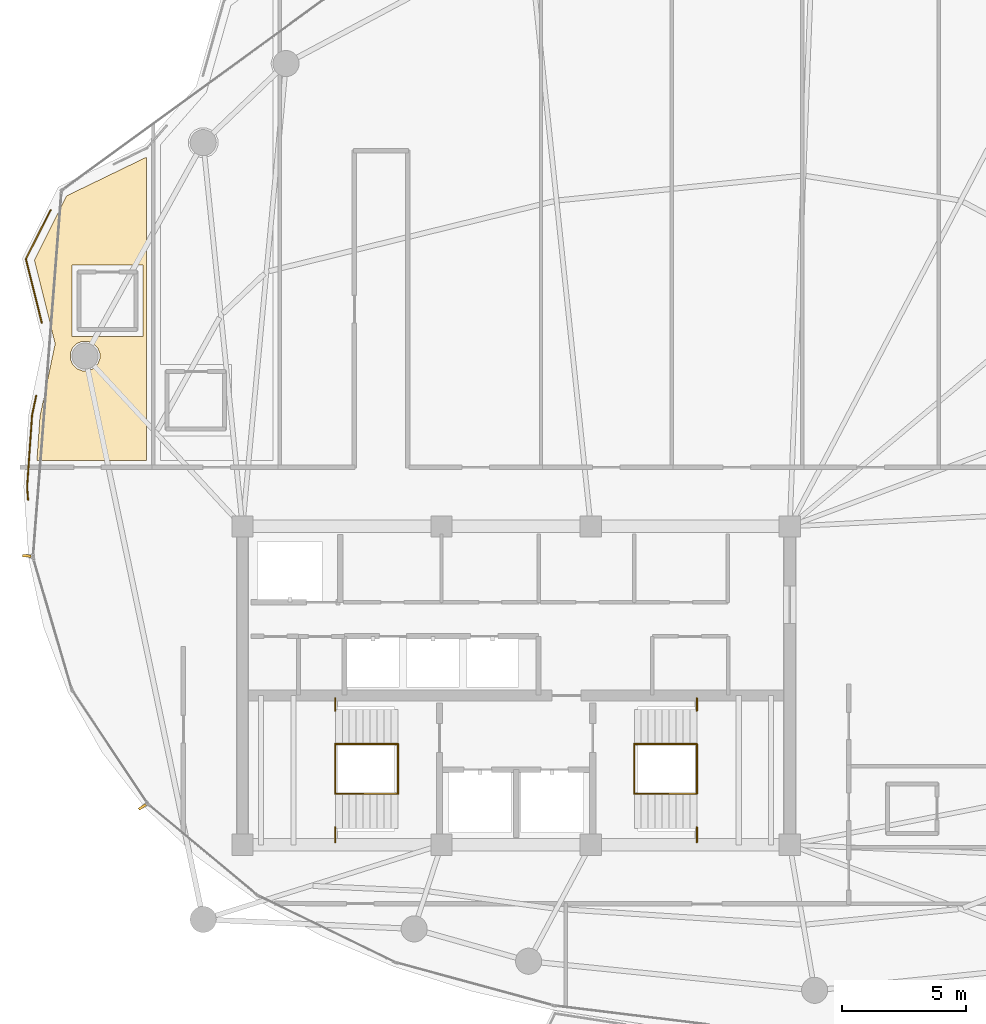
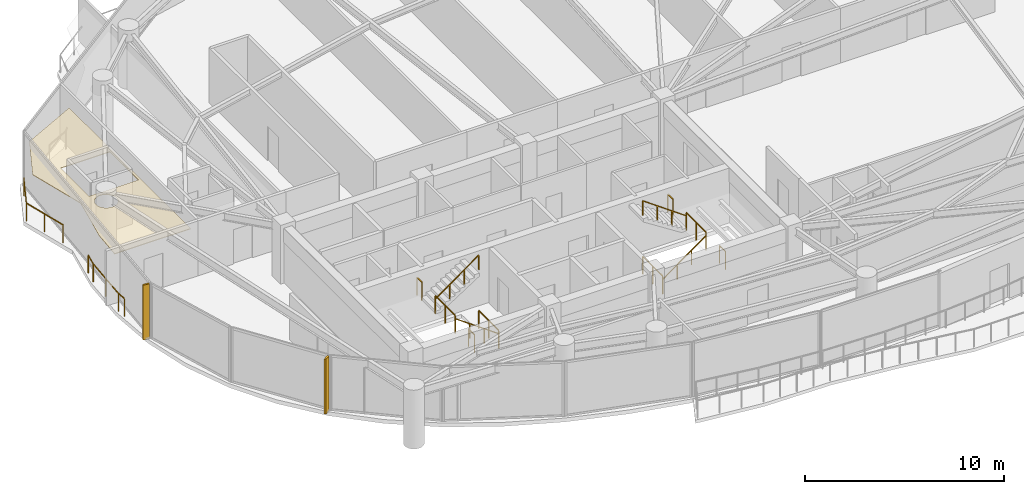
# One storey, part 29 of 31: 14 railings, 2 shading devices, 1 covering.
"""IFC4 building model written with IfcOpenShell, lengths in metres."""

from ifc_helpers import new_model, si_unit, direction, frame, origin, origin_2d, place, context, subcontext, project, spatial, polyline, rectangle, outline, extrude, material, layer, layer_set, type_object, element, save


model = new_model("IFC4")

# Units and contexts
model_context = context("Model", 3, precision=1e-05, world=origin(), true_north=direction((0.0, 1.0)))
body_context = subcontext(model_context, "Body", "Model", "MODEL_VIEW")
ifc_project = project(units=[si_unit("LENGTHUNIT", "METRE"), si_unit("AREAUNIT", "SQUARE_METRE"), si_unit("VOLUMEUNIT", "CUBIC_METRE"), si_unit("PLANEANGLEUNIT", "RADIAN"), si_unit("MASSUNIT", "GRAM", prefix="KILO")], contexts=[model_context])

# Site, building, storey
site_placement = place(None, origin())
site = spatial("IfcSite", under=ifc_project, at=site_placement, CompositionType="ELEMENT")
building_placement = place(site_placement, origin())
building = spatial("IfcBuilding", under=site, at=building_placement, Name="Kazevale Care Tower and Concert Hall", CompositionType="ELEMENT")
storey_placement = place(building_placement, frame((0.0, 0.0, 217.199951171875)))
storey = spatial("IfcBuildingStorey", under=building, at=storey_placement, Name="L57", CompositionType="ELEMENT", Elevation=217.199951171875)

# Covering
ifc_material_1 = material(Name="Acoustic Plaster and Hinoki Wood", Category="wood")
ifc_layer = layer(ifc_material_1, 0.0400390625)
ifc_layer_set = layer_set([ifc_layer], Name="Acoustic Plaster and Hinoki Wood")
covering_type = type_object("IfcCoveringType", Name="Acoustic Perforated Wood-Gypsum Ceiling", PredefinedType="CEILING", material=ifc_layer_set)
covering_placement = place(storey_placement, frame((0.0, 0.0, 2.7099609375)))
element("IfcCovering", 1, at=covering_placement, inside=storey, type_object=covering_type, Name="clg:L57:1", PredefinedType="CEILING", context=body_context, shape_type="SweptSolid", body=[
    extrude(outline(polyline([(14.93310546875, 49.694091796875), (18.139892578125, 51.2470703125), (18.139892578125, 39.054931640625), (13.73388671875, 39.054931640625), (13.85693359375, 40.824951171875), (14.468994140625, 43.75), (13.632080078125, 47.111083984375), (14.93310546875, 49.694091796875)]), holes=[polyline([(15.137939453125, 46.905029296875), (15.137939453125, 44.044921875), (17.998046875, 44.044921875), (17.998046875, 46.905029296875), (15.137939453125, 46.905029296875)]), polyline([(16.262939453125, 43.367919921875), (16.173095703125, 43.5859375), (16.006103515625, 43.7529296875), (15.7880859375, 43.843017578125), (15.552001953125, 43.843017578125), (15.333984375, 43.7529296875), (15.1669921875, 43.5859375), (15.076904296875, 43.367919921875), (15.076904296875, 43.132080078125), (15.1669921875, 42.9140625), (15.333984375, 42.7470703125), (15.552001953125, 42.656982421875), (15.7880859375, 42.656982421875), (16.006103515625, 42.7470703125), (16.173095703125, 42.9140625), (16.262939453125, 43.132080078125), (16.262939453125, 43.367919921875)])]), origin(), (0.0, 0.0, 1.0), 0.0400390625),
])

# Railings
ifc_material_2 = material(Name="Anodised Bronze Aluminium and Laminated Glass", Category="aluminium")
railing_type_1 = type_object("IfcRailingType", Name="Balcony and Terrace Balustrade 1120", PredefinedType="BALUSTRADE", material=ifc_material_2)
railing_1_placement = place(storey_placement, frame((13.3779296875, 37.467041015625, 0.0)))
element("IfcRailing", 2, at=railing_1_placement, inside=storey, type_object=railing_type_1, Name="rail:L57:perim:1", PredefinedType="BALUSTRADE", context=body_context, shape_type="SweptSolid", body=[
    extrude(rectangle(XDim=0.048095703125, YDim=0.048095703125, at=origin_2d()), frame((0.0, 0.0, 1.09619140625), z_axis=(-0.070824900757, 0.997488763562, 0.0), x_axis=(-0.997488763562, -0.070824900757, 0.0)), (0.0, 0.0, 1.0), 0.5341796875),
    extrude(rectangle(XDim=0.048095703125, YDim=0.048095703125, at=origin_2d()), frame((-0.037841796875, 0.532958984375, 1.09619140625), z_axis=(0.069189590327, 0.997603528758, 0.0), x_axis=(-0.997603528758, 0.069189590327, 0.0)), (0.0, 0.0, 1.0), 2.875732421875),
    extrude(rectangle(XDim=0.048095703125, YDim=0.048095703125, at=origin_2d()), frame((0.1611328125, 3.40185546875, 1.09619140625), z_axis=(0.204489697566, 0.978868716218, 0.0), x_axis=(-0.978868716218, 0.204489697566, 0.0)), (0.0, 0.0, 1.0), 0.801025390625),
    extrude(rectangle(XDim=0.0419921875, YDim=0.0419921875, at=origin_2d()), origin(), (0.0, 0.0, 1.0), 1.072021484375),
    extrude(rectangle(XDim=0.0419921875, YDim=0.0419921875, at=origin_2d()), frame((-0.037841796875, 0.532958984375, 0.0)), (0.0, 0.0, 1.0), 1.072021484375),
    extrude(rectangle(XDim=0.0419921875, YDim=0.0419921875, at=origin_2d()), frame((0.0615234375, 1.96728515625, 0.0)), (0.0, 0.0, 1.0), 1.072021484375),
    extrude(rectangle(XDim=0.0419921875, YDim=0.0419921875, at=origin_2d()), frame((0.1611328125, 3.40185546875, 0.0)), (0.0, 0.0, 1.0), 1.072021484375),
    extrude(rectangle(XDim=0.0419921875, YDim=0.0419921875, at=origin_2d()), frame((0.324951171875, 4.18603515625, 0.0)), (0.0, 0.0, 1.0), 1.072021484375),
])
railing_2_placement = place(storey_placement, frame((13.930908203125, 44.5849609375, 0.0)))
element("IfcRailing", 3, at=railing_2_placement, inside=storey, type_object=railing_type_1, Name="rail:L57:perim:2", PredefinedType="BALUSTRADE", context=body_context, shape_type="SweptSolid", body=[
    extrude(rectangle(XDim=0.048095703125, YDim=0.048095703125, at=origin_2d()), frame((0.0, 0.0, 1.09619140625), z_axis=(-0.241796398664, 0.970327007556, 0.0), x_axis=(-0.970327007556, -0.241796398664, 0.0)), (0.0, 0.0, 1.0), 2.642333984375),
    extrude(rectangle(XDim=0.048095703125, YDim=0.048095703125, at=origin_2d()), frame((-0.638916015625, 2.56396484375, 1.09619140625), z_axis=(0.450269666924, 0.892892617871, 0.0), x_axis=(-0.892892617871, 0.450269666924, 0.0)), (0.0, 0.0, 1.0), 2.202880859375),
    extrude(rectangle(XDim=0.0419921875, YDim=0.0419921875, at=origin_2d()), origin(), (0.0, 0.0, 1.0), 1.072021484375),
    extrude(rectangle(XDim=0.0419921875, YDim=0.0419921875, at=origin_2d()), frame((-0.3193359375, 1.281982421875, 0.0)), (0.0, 0.0, 1.0), 1.072021484375),
    extrude(rectangle(XDim=0.0419921875, YDim=0.0419921875, at=origin_2d()), frame((-0.638916015625, 2.56396484375, 0.0)), (0.0, 0.0, 1.0), 1.072021484375),
    extrude(rectangle(XDim=0.0419921875, YDim=0.0419921875, at=origin_2d()), frame((0.35302734375, 4.531005859375, 0.0)), (0.0, 0.0, 1.0), 1.072021484375),
])
ifc_material_3 = material(Name="Stainless Steel 316", Category="steel")
railing_type_2 = type_object("IfcRailingType", Name="Stair Pitch Handrail 920", PredefinedType="HANDRAIL", material=ifc_material_3)
railing_3_placement = place(storey_placement, frame((28.25, 25.64990234375, 0.0)))
element("IfcRailing", 4, at=railing_3_placement, inside=storey, type_object=railing_type_2, Name="stair:L57:ST1:hr1", PredefinedType="HANDRAIL", context=body_context, shape_type="SweptSolid", body=[
    extrude(rectangle(XDim=0.048095703125, YDim=0.048095703125, at=origin_2d()), frame((0.0, 0.0, 0.89599609375), z_axis=(-0.813728144527, 0.0, 0.581245650998), x_axis=(0.0, -1.0, 0.0)), (0.0, 0.0, 1.0), 3.096923828125),
    extrude(rectangle(XDim=0.0419921875, YDim=0.0419921875, at=origin_2d()), origin(), (0.0, 0.0, 1.0), 0.871826171875),
    extrude(rectangle(XDim=0.0419921875, YDim=0.0419921875, at=origin_2d()), frame((-0.840087890625, 0.0, 0.60009765625)), (0.0, 0.0, 1.0), 0.871826171875),
    extrude(rectangle(XDim=0.0419921875, YDim=0.0419921875, at=origin_2d()), frame((-1.679931640625, 0.0, 1.199951171875)), (0.0, 0.0, 1.0), 0.871826171875),
    extrude(rectangle(XDim=0.0419921875, YDim=0.0419921875, at=origin_2d()), frame((-2.52001953125, 0.0, 1.800048828125)), (0.0, 0.0, 1.0), 0.871826171875),
])
for number, where, name in (
    (5, (25.72998046875, 27.64990234375, 1.800048828125), "stair:L57:ST1:hr2"),
    (6, (37.75, 25.64990234375, 0.0), "stair:L57:ST2:hr1"),
):
    element("IfcRailing", number, at=place(storey_placement, frame(where)), inside=storey, type_object=railing_type_2, Name=name, PredefinedType="HANDRAIL", context=body_context, shape_type="SweptSolid", body=[
        extrude(rectangle(XDim=0.048095703125, YDim=0.048095703125, at=origin_2d()), frame((0.0, 0.0, 0.89599609375), z_axis=(0.813728144527, 0.0, 0.581245650998), x_axis=(0.0, 1.0, 0.0)), (0.0, 0.0, 1.0), 3.096923828125),
        extrude(rectangle(XDim=0.0419921875, YDim=0.0419921875, at=origin_2d()), origin(), (0.0, 0.0, 1.0), 0.871826171875),
        extrude(rectangle(XDim=0.0419921875, YDim=0.0419921875, at=origin_2d()), frame((0.840087890625, 0.0, 0.60009765625)), (0.0, 0.0, 1.0), 0.871826171875),
        extrude(rectangle(XDim=0.0419921875, YDim=0.0419921875, at=origin_2d()), frame((1.679931640625, 0.0, 1.199951171875)), (0.0, 0.0, 1.0), 0.871826171875),
        extrude(rectangle(XDim=0.0419921875, YDim=0.0419921875, at=origin_2d()), frame((2.52001953125, 0.0, 1.800048828125)), (0.0, 0.0, 1.0), 0.871826171875),
    ])
railing_4_placement = place(storey_placement, frame((40.27001953125, 27.64990234375, 1.800048828125)))
element("IfcRailing", 7, at=railing_4_placement, inside=storey, type_object=railing_type_2, Name="stair:L57:ST2:hr2", PredefinedType="HANDRAIL", context=body_context, shape_type="SweptSolid", body=[
    extrude(rectangle(XDim=0.048095703125, YDim=0.048095703125, at=origin_2d()), frame((0.0, 0.0, 0.89599609375), z_axis=(-0.813728144527, 0.0, 0.581245650998), x_axis=(0.0, -1.0, 0.0)), (0.0, 0.0, 1.0), 3.096923828125),
    extrude(rectangle(XDim=0.0419921875, YDim=0.0419921875, at=origin_2d()), origin(), (0.0, 0.0, 1.0), 0.871826171875),
    extrude(rectangle(XDim=0.0419921875, YDim=0.0419921875, at=origin_2d()), frame((-0.840087890625, 0.0, 0.60009765625)), (0.0, 0.0, 1.0), 0.871826171875),
    extrude(rectangle(XDim=0.0419921875, YDim=0.0419921875, at=origin_2d()), frame((-1.679931640625, 0.0, 1.199951171875)), (0.0, 0.0, 1.0), 0.871826171875),
    extrude(rectangle(XDim=0.0419921875, YDim=0.0419921875, at=origin_2d()), frame((-2.52001953125, 0.0, 1.800048828125)), (0.0, 0.0, 1.0), 0.871826171875),
])
railing_type_3 = type_object("IfcRailingType", Name="Stair Well Guard Balustrade 1120", PredefinedType="BALUSTRADE", material=ifc_material_3)
railing_5_placement = place(storey_placement, frame((25.72998046875, 23.699951171875, 1.800048828125)))
element("IfcRailing", 8, at=railing_5_placement, inside=storey, type_object=railing_type_3, Name="stair:L57:ST1:grd_side1", PredefinedType="BALUSTRADE", context=body_context, shape_type="SweptSolid", body=[
    extrude(rectangle(XDim=0.048095703125, YDim=0.048095703125, at=origin_2d()), frame((0.0, 0.0, 1.09619140625), z_axis=(0.0, 1.0, 0.0), x_axis=(-1.0, 0.0, 0.0)), (0.0, 0.0, 1.0), 0.610107421875),
    extrude(rectangle(XDim=0.0419921875, YDim=0.0419921875, at=origin_2d()), origin(), (0.0, 0.0, 1.0), 1.072021484375),
    extrude(rectangle(XDim=0.0419921875, YDim=0.0419921875, at=origin_2d()), frame((0.0, 0.610107421875, 0.0)), (0.0, 0.0, 1.0), 1.072021484375),
])
railing_6_placement = place(storey_placement, frame((25.72998046875, 28.989990234375, 1.800048828125)))
element("IfcRailing", 9, at=railing_6_placement, inside=storey, type_object=railing_type_3, Name="stair:L57:ST1:grd_side2", PredefinedType="BALUSTRADE", context=body_context, shape_type="SweptSolid", body=[
    extrude(rectangle(XDim=0.048095703125, YDim=0.048095703125, at=origin_2d()), frame((0.0, 0.0, 1.09619140625), z_axis=(0.0, 1.0, 0.0), x_axis=(-1.0, 0.0, 0.0)), (0.0, 0.0, 1.0), 0.510009765625),
    extrude(rectangle(XDim=0.0419921875, YDim=0.0419921875, at=origin_2d()), origin(), (0.0, 0.0, 1.0), 1.072021484375),
    extrude(rectangle(XDim=0.0419921875, YDim=0.0419921875, at=origin_2d()), frame((0.0, 0.510009765625, 0.0)), (0.0, 0.0, 1.0), 1.072021484375),
])
for number, where, name in (
    (10, (25.72998046875, 25.64990234375, 1.800048828125), "stair:L57:ST1:grd_mid"),
    (11, (28.25, 25.64990234375, 0.0), "stair:L57:ST1:grd_flr"),
):
    element("IfcRailing", number, at=place(storey_placement, frame(where)), inside=storey, type_object=railing_type_3, Name=name, PredefinedType="BALUSTRADE", context=body_context, shape_type="SweptSolid", body=[
        extrude(rectangle(XDim=0.048095703125, YDim=0.048095703125, at=origin_2d()), frame((0.0, 0.0, 1.09619140625), z_axis=(0.0, 1.0, 0.0), x_axis=(-1.0, 0.0, 0.0)), (0.0, 0.0, 1.0), 2.0),
        extrude(rectangle(XDim=0.0419921875, YDim=0.0419921875, at=origin_2d()), origin(), (0.0, 0.0, 1.0), 1.072021484375),
        extrude(rectangle(XDim=0.0419921875, YDim=0.0419921875, at=origin_2d()), frame((0.0, 1.0, 0.0)), (0.0, 0.0, 1.0), 1.072021484375),
        extrude(rectangle(XDim=0.0419921875, YDim=0.0419921875, at=origin_2d()), frame((0.0, 2.0, 0.0)), (0.0, 0.0, 1.0), 1.072021484375),
    ])
railing_7_placement = place(storey_placement, frame((40.27001953125, 23.699951171875, 1.800048828125)))
element("IfcRailing", 12, at=railing_7_placement, inside=storey, type_object=railing_type_3, Name="stair:L57:ST2:grd_side1", PredefinedType="BALUSTRADE", context=body_context, shape_type="SweptSolid", body=[
    extrude(rectangle(XDim=0.048095703125, YDim=0.048095703125, at=origin_2d()), frame((0.0, 0.0, 1.09619140625), z_axis=(0.0, 1.0, 0.0), x_axis=(-1.0, 0.0, 0.0)), (0.0, 0.0, 1.0), 0.610107421875),
    extrude(rectangle(XDim=0.0419921875, YDim=0.0419921875, at=origin_2d()), origin(), (0.0, 0.0, 1.0), 1.072021484375),
    extrude(rectangle(XDim=0.0419921875, YDim=0.0419921875, at=origin_2d()), frame((0.0, 0.610107421875, 0.0)), (0.0, 0.0, 1.0), 1.072021484375),
])
railing_8_placement = place(storey_placement, frame((40.27001953125, 28.989990234375, 1.800048828125)))
element("IfcRailing", 13, at=railing_8_placement, inside=storey, type_object=railing_type_3, Name="stair:L57:ST2:grd_side2", PredefinedType="BALUSTRADE", context=body_context, shape_type="SweptSolid", body=[
    extrude(rectangle(XDim=0.048095703125, YDim=0.048095703125, at=origin_2d()), frame((0.0, 0.0, 1.09619140625), z_axis=(0.0, 1.0, 0.0), x_axis=(-1.0, 0.0, 0.0)), (0.0, 0.0, 1.0), 0.510009765625),
    extrude(rectangle(XDim=0.0419921875, YDim=0.0419921875, at=origin_2d()), origin(), (0.0, 0.0, 1.0), 1.072021484375),
    extrude(rectangle(XDim=0.0419921875, YDim=0.0419921875, at=origin_2d()), frame((0.0, 0.510009765625, 0.0)), (0.0, 0.0, 1.0), 1.072021484375),
])
for number, where, name in (
    (14, (40.27001953125, 25.64990234375, 1.800048828125), "stair:L57:ST2:grd_mid"),
    (15, (37.75, 25.64990234375, 0.0), "stair:L57:ST2:grd_flr"),
):
    element("IfcRailing", number, at=place(storey_placement, frame(where)), inside=storey, type_object=railing_type_3, Name=name, PredefinedType="BALUSTRADE", context=body_context, shape_type="SweptSolid", body=[
        extrude(rectangle(XDim=0.048095703125, YDim=0.048095703125, at=origin_2d()), frame((0.0, 0.0, 1.09619140625), z_axis=(0.0, 1.0, 0.0), x_axis=(-1.0, 0.0, 0.0)), (0.0, 0.0, 1.0), 2.0),
        extrude(rectangle(XDim=0.0419921875, YDim=0.0419921875, at=origin_2d()), origin(), (0.0, 0.0, 1.0), 1.072021484375),
        extrude(rectangle(XDim=0.0419921875, YDim=0.0419921875, at=origin_2d()), frame((0.0, 1.0, 0.0)), (0.0, 0.0, 1.0), 1.072021484375),
        extrude(rectangle(XDim=0.0419921875, YDim=0.0419921875, at=origin_2d()), frame((0.0, 2.0, 0.0)), (0.0, 0.0, 1.0), 1.072021484375),
    ])

# Shading devices
ifc_material_4 = material(Name="Anodised Bronze Aluminium", Category="aluminium")
shading_device_type = type_object("IfcShadingDeviceType", Name="Waist Anodised Bronze-Stone Fin FIN-02", PredefinedType="USERDEFINED", material=ifc_material_4)
for number, where, z_axis, x_axis, name in (
    (16, (17.972900390625, 25.121337890625, 0.0), (0.0, 0.0, 1.0), (-0.832147748683, -0.554553986878, 0.0), "cw:L57:f11:fin"),
    (17, (13.326904296875, 35.216796875, 0.0), (0.0, 0.0, 1.0), (-0.996985422604, 0.077589091471, 0.0), "cw:L57:f13:fin"),
):
    element("IfcShadingDevice", number, at=place(storey_placement, frame(where, z_axis=z_axis, x_axis=x_axis)), inside=storey, type_object=shading_device_type, Name=name, ObjectType="FIN", PredefinedType="USERDEFINED", context=body_context, shape_type="SweptSolid", body=[
        extrude(rectangle(XDim=0.340087890625, YDim=0.10009765625, at=origin_2d()), origin(), (0.0, 0.0, 1.0), 3.360107421875),
    ])

save(model, "model.ifc")
